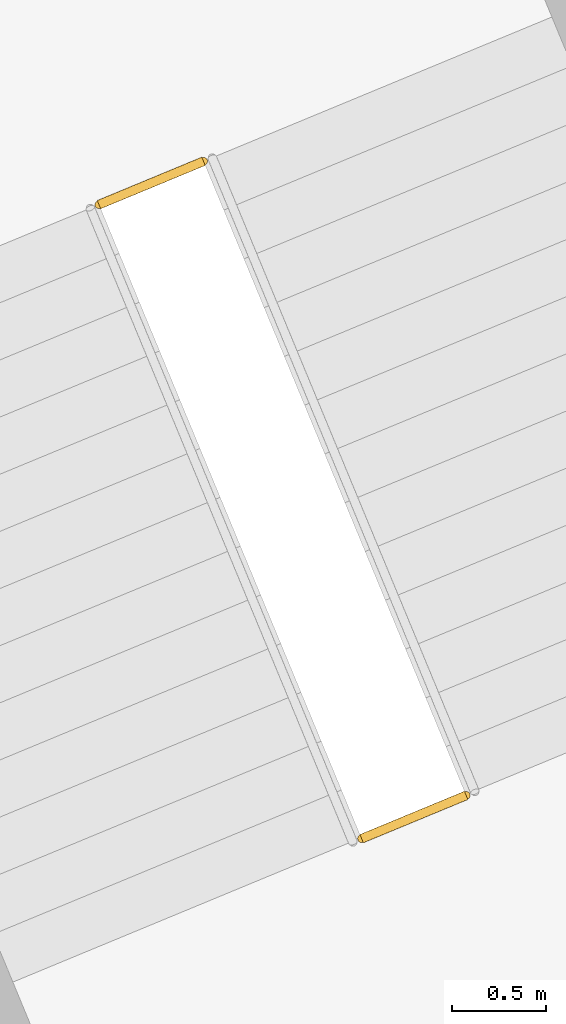
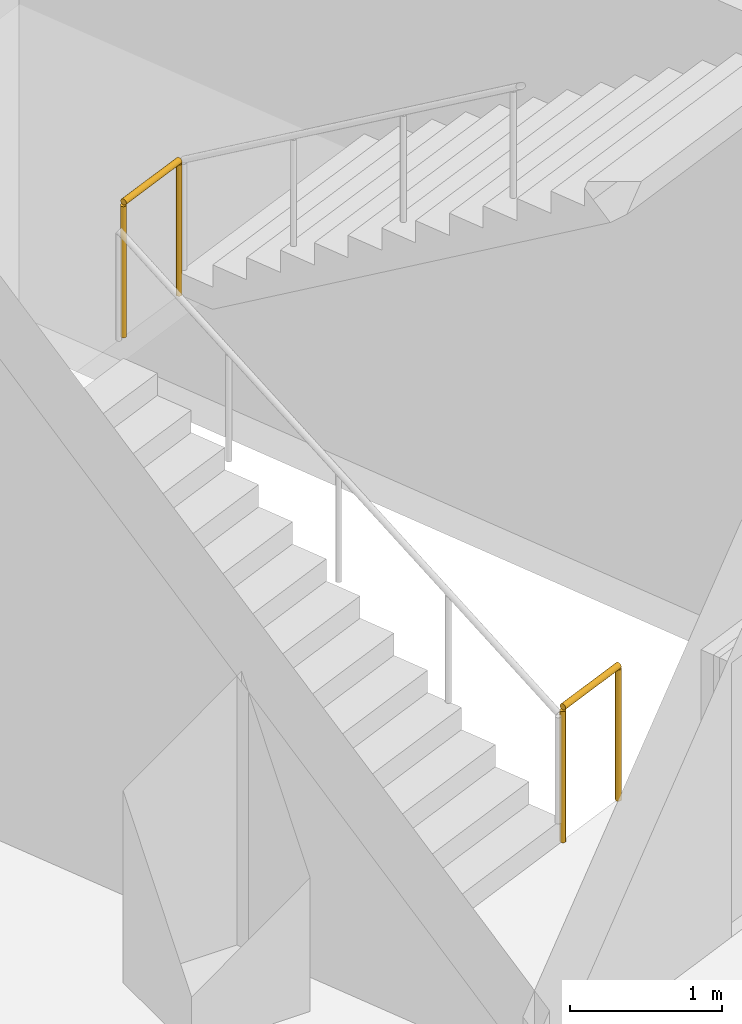
# One storey, part 11 of 11: 2 railings.
"""IFC4 building model written with IfcOpenShell, lengths in metres."""

from ifc_helpers import new_model, si_unit, direction, frame, origin, origin_2d, place, context, subcontext, project, spatial, circle, extrude, material, type_object, element, save


model = new_model("IFC4")

# Units and contexts
model_context = context("Model", 3, precision=1e-05, world=origin(), true_north=direction((0.0, 1.0)))
body_context = subcontext(model_context, "Body", "Model", "MODEL_VIEW")
ifc_project = project(units=[si_unit("LENGTHUNIT", "METRE"), si_unit("AREAUNIT", "SQUARE_METRE"), si_unit("VOLUMEUNIT", "CUBIC_METRE"), si_unit("PLANEANGLEUNIT", "RADIAN"), si_unit("MASSUNIT", "GRAM", prefix="KILO")], contexts=[model_context])

# Site, building, storey
site_placement = place(None, origin())
site = spatial("IfcSite", under=ifc_project, at=site_placement, CompositionType="ELEMENT")
building_placement = place(site_placement, origin())
building = spatial("IfcBuilding", under=site, at=building_placement, Name="Golbaran Civic Tower", CompositionType="ELEMENT")
storey_placement = place(building_placement, frame((0.0, 0.0, 11.0)))
storey = spatial("IfcBuildingStorey", under=building, at=storey_placement, Name="L02", CompositionType="ELEMENT", Elevation=11.0)

# Railings
ifc_material = material(Name="Steel balustrade", Category="steel")
railing_type = type_object("IfcRailingType", Name="STAIR GUARD 1100", PredefinedType="GUARDRAIL", material=ifc_material)
railing_1_placement = place(storey_placement, frame((28.064697265625, 8.810546875, 0.0)))
element("IfcRailing", 1, at=railing_1_placement, inside=storey, type_object=railing_type, Name="Stair P1 well guard floor landing L02", PredefinedType="GUARDRAIL", context=body_context, shape_type="SweptSolid", body=[
    extrude(circle(Radius=0.02392578125, at=origin_2d()), frame((0.0, 0.0, 1.076171875), z_axis=(0.923917630863, 0.382591441855, 0.0), x_axis=(-0.382591441855, 0.923917630863, 0.0)), (0.0, 0.0, 1.0), 0.599853515625),
    extrude(circle(Radius=0.02099609375, at=origin_2d()), origin(), (0.0, 0.0, 1.0), 1.052001953125),
    extrude(circle(Radius=0.02099609375, at=origin_2d()), frame((0.55419921875, 0.2294921875, 0.0)), (0.0, 0.0, 1.0), 1.052001953125),
])
railing_2_placement = place(storey_placement, frame((26.671630859375, 12.17333984375, 2.5)))
element("IfcRailing", 2, at=railing_2_placement, inside=storey, type_object=railing_type, Name="Stair P1 well guard half landing L02", PredefinedType="GUARDRAIL", context=body_context, shape_type="SweptSolid", body=[
    extrude(circle(Radius=0.02392578125, at=origin_2d()), frame((0.0, 0.0, 1.076171875), z_axis=(0.92383335829, 0.382794887781, 0.0), x_axis=(-0.382794887781, 0.92383335829, 0.0)), (0.0, 0.0, 1.0), 0.60009765625),
    extrude(circle(Radius=0.02099609375, at=origin_2d()), origin(), (0.0, 0.0, 1.0), 1.052001953125),
    extrude(circle(Radius=0.02099609375, at=origin_2d()), frame((0.554443359375, 0.229736328125, 0.0)), (0.0, 0.0, 1.0), 1.052001953125),
])

save(model, "model.ifc")
